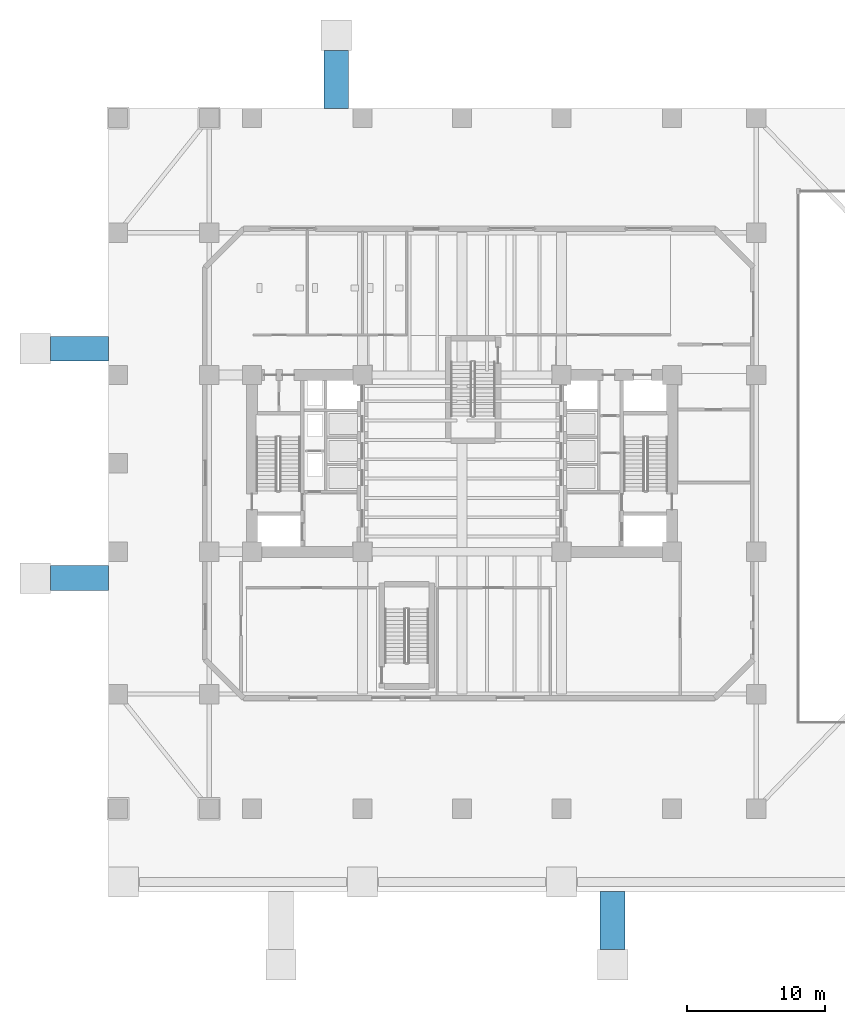
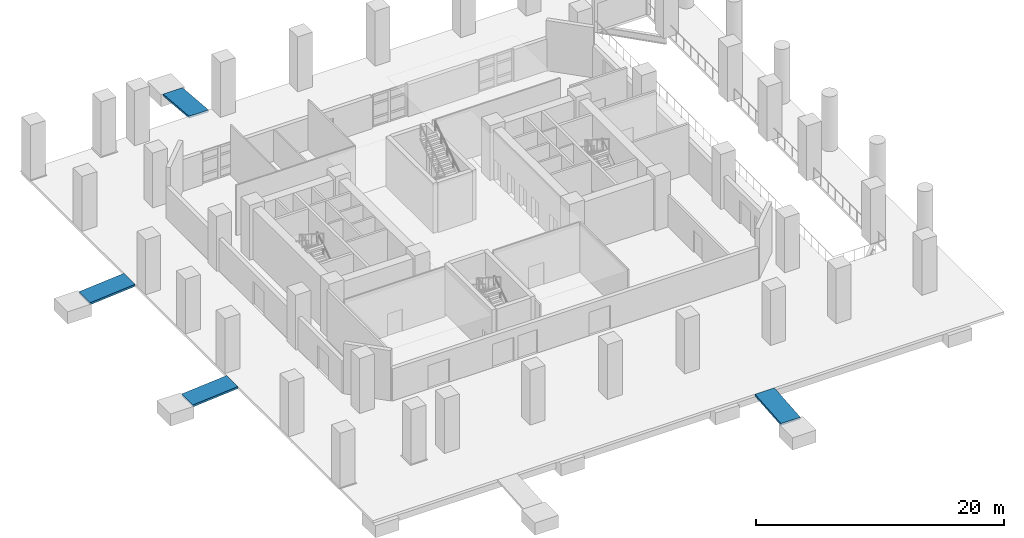
# One storey, part 7 of 12: 4 ramp flights, 4 elements without a shape of their own.
"""IFC4 building model written with IfcOpenShell, lengths in metres."""

from ifc_helpers import new_model, si_unit, direction, frame, origin, place, context, subcontext, project, spatial, polyline, outline, extrude, material, layer, layer_set, type_object, element, aggregate, save


model = new_model("IFC4")

# Units and contexts
model_context = context("Model", 3, precision=1e-05, world=origin(), true_north=direction((0.0, 1.0)))
body_context = subcontext(model_context, "Body", "Model", "MODEL_VIEW")
ifc_project = project(units=[si_unit("LENGTHUNIT", "METRE"), si_unit("AREAUNIT", "SQUARE_METRE"), si_unit("VOLUMEUNIT", "CUBIC_METRE"), si_unit("PLANEANGLEUNIT", "RADIAN"), si_unit("MASSUNIT", "GRAM", prefix="KILO")], contexts=[model_context])

# Site, building, storey
site_placement = place(None, origin())
site = spatial("IfcSite", under=ifc_project, at=site_placement, CompositionType="ELEMENT")
building_placement = place(site_placement, origin())
building = spatial("IfcBuilding", under=site, at=building_placement, Name="Kranthara Brick Stack", CompositionType="ELEMENT")
storey_placement = place(building_placement, origin())
storey = spatial("IfcBuildingStorey", under=building, at=storey_placement, Name="L00", CompositionType="ELEMENT", Elevation=0.0)

# Ramp, ramp flight
ifc_material_1 = material(Name="Concrete C40/50", Category="concrete")
ramp_type = type_object("IfcRampType", Name="RMP-PED-ACC", PredefinedType="STRAIGHT_RUN_RAMP", material=ifc_material_1)
ramp_1_placement = place(storey_placement, origin())
ramp_1 = element("IfcRamp", 1, at=ramp_1_placement, inside=storey, type_object=ramp_type, Name="L00 Accessible Entrance Ramp W1", PredefinedType="STRAIGHT_RUN_RAMP")
ifc_material_2 = material(Name="Concrete C40/50", Category="concrete")
ifc_layer = layer(ifc_material_2, 0.199951171875)
ifc_layer_set = layer_set([ifc_layer], Name="Concrete C40/50")
ramp_flight_type = type_object("IfcRampFlightType", Name="RMF-PED-200", PredefinedType="STRAIGHT", material=ifc_layer_set)
ramp_flight_1_placement = place(storey_placement, frame((-1.800048828125, 18.0, -0.35009765625), z_axis=(-0.083069450238, 0.0, 0.996543760423), x_axis=(0.996543760423, 0.0, 0.083069450238)))
ramp_flight_1 = element("IfcRampFlight", 2, at=ramp_flight_1_placement, type_object=ramp_flight_type, Name="L00 Accessible Entrance Ramp Flight W1", PredefinedType="STRAIGHT", context=body_context, shape_type="SweptSolid", body=[
    extrude(outline(polyline([(0.0, 0.0), (4.214517554245792, 0.0), (4.214517554245792, 1.8000488281250004), (0.0, 1.8000488281250004), (0.0, 0.0)])), origin(), (0.0, 0.0, -1.0), 0.199951171875),
])
aggregate(ramp_1, [ramp_flight_1])

ramp_2_placement = place(storey_placement, origin())
ramp_2 = element("IfcRamp", 3, at=ramp_2_placement, inside=storey, type_object=ramp_type, Name="L00 Accessible Entrance Ramp W2", PredefinedType="STRAIGHT_RUN_RAMP")
ramp_flight_2_placement = place(storey_placement, frame((-1.800048828125, 34.60009765625, -0.35009765625), z_axis=(-0.083069450238, 0.0, 0.996543760423), x_axis=(0.996543760423, 0.0, 0.083069450238)))
ramp_flight_2 = element("IfcRampFlight", 4, at=ramp_flight_2_placement, type_object=ramp_flight_type, Name="L00 Accessible Entrance Ramp Flight W2", PredefinedType="STRAIGHT", context=body_context, shape_type="SweptSolid", body=[
    extrude(outline(polyline([(0.0, 0.0), (4.214517554245792, 0.0), (4.214517554245792, 1.7998046875000004), (0.0, 1.7998046875000004), (0.0, 0.0)])), origin(), (0.0, 0.0, -1.0), 0.199951171875),
])
aggregate(ramp_2, [ramp_flight_2])

ramp_3_placement = place(storey_placement, origin())
ramp_3 = element("IfcRamp", 5, at=ramp_3_placement, inside=storey, type_object=ramp_type, Name="L00 Accessible Entrance Ramp S2", PredefinedType="STRAIGHT_RUN_RAMP")
ramp_flight_3_placement = place(storey_placement, frame((38.0, -8.0, -0.35009765625), z_axis=(0.0, -0.083069450238, 0.996543760423), x_axis=(1.0, 0.0, 0.0)))
ramp_flight_3 = element("IfcRampFlight", 6, at=ramp_flight_3_placement, type_object=ramp_flight_type, Name="L00 Accessible Entrance Ramp Flight S2", PredefinedType="STRAIGHT", context=body_context, shape_type="SweptSolid", body=[
    extrude(outline(polyline([(0.0, 0.0), (1.800048828125, 0.0), (1.800048828125, 4.214517554245792), (0.0, 4.214517554245792), (0.0, 0.0)])), origin(), (0.0, 0.0, -1.0), 0.199951171875),
])
aggregate(ramp_3, [ramp_flight_3])

ramp_4_placement = place(storey_placement, origin())
ramp_4 = element("IfcRamp", 7, at=ramp_4_placement, inside=storey, type_object=ramp_type, Name="L00 Accessible Entrance Ramp N1", PredefinedType="STRAIGHT_RUN_RAMP")
ramp_flight_4_placement = place(storey_placement, frame((18.0, 52.89990234375, 0.0), z_axis=(0.0, 0.083064655058, 0.996544160125), x_axis=(1.0, 0.0, 0.0)))
ramp_flight_4 = element("IfcRampFlight", 8, at=ramp_flight_4_placement, type_object=ramp_flight_type, Name="L00 Accessible Entrance Ramp Flight N1", PredefinedType="STRAIGHT", context=body_context, shape_type="SweptSolid", body=[
    extrude(outline(polyline([(0.0, 0.0), (1.800048828125, 0.0), (1.800048828125, 4.2147608511110946), (0.0, 4.2147608511110946), (0.0, 0.0)])), origin(), (0.0, 0.0, -1.0), 0.199951171875),
])
aggregate(ramp_4, [ramp_flight_4])

save(model, "model.ifc")
